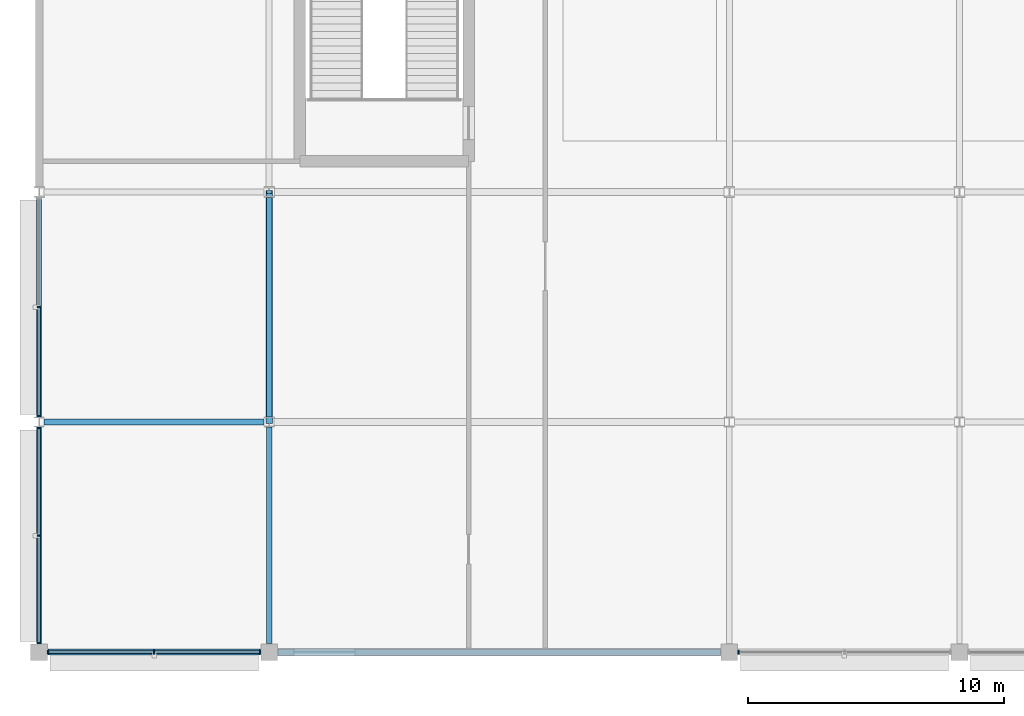
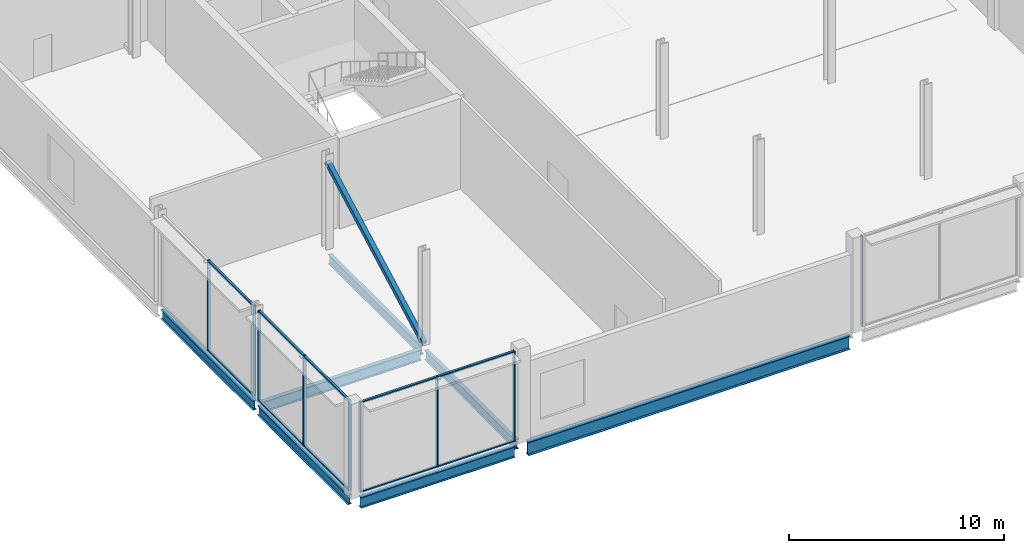
# One storey, part 11 of 113: 20 members, 7 beams, 4 elements without a shape of their own.
"""IFC4 building model written with IfcOpenShell, lengths in metres."""

from ifc_helpers import new_model, si_unit, direction, frame, origin, origin_2d, place, context, subcontext, project, spatial, rectangle, hollow_rectangle, i_section, extrude, material, layer, layer_set, material_profile, profile_set, type_object, element, aggregate, save


model = new_model("IFC4")

# Units and contexts
model_context = context("Model", 3, precision=1e-05, world=origin(), true_north=direction((0.0, 1.0)))
body_context = subcontext(model_context, "Body", "Model", "MODEL_VIEW")
ifc_project = project(units=[si_unit("LENGTHUNIT", "METRE"), si_unit("AREAUNIT", "SQUARE_METRE"), si_unit("VOLUMEUNIT", "CUBIC_METRE"), si_unit("PLANEANGLEUNIT", "RADIAN"), si_unit("MASSUNIT", "GRAM", prefix="KILO")], contexts=[model_context])

# Site, building, storey
site_placement = place(None, origin())
site = spatial("IfcSite", under=ifc_project, at=site_placement, CompositionType="ELEMENT")
building_placement = place(site_placement, origin())
building = spatial("IfcBuilding", under=site, at=building_placement, Name="Kisiwana Market Hall", CompositionType="ELEMENT")
storey_placement = place(building_placement, frame((0.0, 0.0, 6.0)))
storey = spatial("IfcBuildingStorey", under=building, at=storey_placement, Name="L01", CompositionType="ELEMENT", Elevation=6.0)

# Beams
ifc_material_1 = material(Name="Steel S355", Category="steel")
ifc_material_profile_1 = material_profile(ifc_material_1, i_section(OverallWidth=0.209228515625, OverallDepth=0.533203125, WebThickness=0.010009765625, FlangeThickness=0.015625, at=origin_2d()), Name="UB 533x210x92")
ifc_profile_set_1 = profile_set([ifc_material_profile_1], Name="Steel S355")
beam_type_1 = type_object("IfcBeamType", Name="BM-GIRD-UB533", PredefinedType="BEAM", material=ifc_profile_set_1)
beam_1_placement = place(storey_placement, frame((0.0, 0.345947265625, -0.5166015625), z_axis=(0.0, 1.0, 0.0), x_axis=(-1.0, 0.0, 0.0)))
element("IfcBeam", 1, at=beam_1_placement, inside=storey, type_object=beam_type_1, Name="Floor beam B-0555", PredefinedType="BEAM", context=body_context, shape_type="SweptSolid", body=[
    extrude(i_section(OverallWidth=0.209228515625, OverallDepth=0.533203125, WebThickness=0.010009765625, FlangeThickness=0.015625, at=origin_2d()), origin(), (0.0, 0.0, 1.0), 8.454833984375),
])
beam_2_placement = place(storey_placement, frame((0.0, 9.19921875, -0.5166015625), z_axis=(0.0, 1.0, 0.0), x_axis=(-1.0, 0.0, 0.0)))
element("IfcBeam", 2, at=beam_2_placement, inside=storey, type_object=beam_type_1, Name="Floor beam B-0556", PredefinedType="BEAM", context=body_context, shape_type="SweptSolid", body=[
    extrude(i_section(OverallWidth=0.209228515625, OverallDepth=0.533203125, WebThickness=0.010009765625, FlangeThickness=0.015625, at=origin_2d()), origin(), (0.0, 0.0, 1.0), 8.58740234375),
])
beam_3_placement = place(storey_placement, frame((9.0, 0.345947265625, -0.5166015625), z_axis=(0.0, 1.0, 0.0), x_axis=(-1.0, 0.0, 0.0)))
element("IfcBeam", 3, at=beam_3_placement, inside=storey, type_object=beam_type_1, Name="Primary girder B-0331", PredefinedType="BEAM", context=body_context, shape_type="SweptSolid", body=[
    extrude(i_section(OverallWidth=0.209228515625, OverallDepth=0.533203125, WebThickness=0.010009765625, FlangeThickness=0.015625, at=origin_2d()), origin(), (0.0, 0.0, 1.0), 8.454833984375),
])
beam_4_placement = place(storey_placement, frame((9.0, 9.19921875, -0.5166015625), z_axis=(0.0, 1.0, 0.0), x_axis=(-1.0, 0.0, 0.0)))
element("IfcBeam", 4, at=beam_4_placement, inside=storey, type_object=beam_type_1, Name="Primary girder B-0332", PredefinedType="BEAM", context=body_context, shape_type="SweptSolid", body=[
    extrude(i_section(OverallWidth=0.209228515625, OverallDepth=0.533203125, WebThickness=0.010009765625, FlangeThickness=0.015625, at=origin_2d()), origin(), (0.0, 0.0, 1.0), 8.58740234375),
])
ifc_material_2 = material(Name="Steel S355", Category="steel")
ifc_material_profile_2 = material_profile(ifc_material_2, i_section(OverallWidth=0.22900390625, OverallDepth=0.6123046875, WebThickness=0.011962890625, FlangeThickness=0.01953125, at=origin_2d()), Name="UB 610x229x125")
ifc_profile_set_2 = profile_set([ifc_material_profile_2], Name="Steel S355")
beam_type_2 = type_object("IfcBeamType", Name="BM-GIRD-UB610H", PredefinedType="BEAM", material=ifc_profile_set_2)
beam_5_placement = place(storey_placement, frame((0.345947265625, 0.0, -0.55615234375), z_axis=(1.0, 0.0, 0.0), x_axis=(0.0, 1.0, 0.0)))
element("IfcBeam", 5, at=beam_5_placement, inside=storey, type_object=beam_type_2, Name="Floor beam B-0449", PredefinedType="BEAM", context=body_context, shape_type="SweptSolid", body=[
    extrude(i_section(OverallWidth=0.22900390625, OverallDepth=0.6123046875, WebThickness=0.011962890625, FlangeThickness=0.01953125, at=origin_2d()), origin(), (0.0, 0.0, 1.0), 8.30810546875),
])
beam_6_placement = place(storey_placement, frame((0.197509765625, 9.0, -0.55615234375), z_axis=(1.0, 0.0, 0.0), x_axis=(0.0, 1.0, 0.0)))
element("IfcBeam", 6, at=beam_6_placement, inside=storey, type_object=beam_type_2, Name="Floor beam B-0463", PredefinedType="BEAM", context=body_context, shape_type="SweptSolid", body=[
    extrude(i_section(OverallWidth=0.22900390625, OverallDepth=0.6123046875, WebThickness=0.011962890625, FlangeThickness=0.01953125, at=origin_2d()), origin(), (0.0, 0.0, 1.0), 8.60498046875),
])
ifc_material_3 = material(Name="Steel S355", Category="steel")
ifc_material_profile_3 = material_profile(ifc_material_3, i_section(OverallWidth=0.2666015625, OverallDepth=0.76220703125, WebThickness=0.014404296875, FlangeThickness=0.021484375, at=origin_2d()), Name="UB 762x267x173")
ifc_profile_set_3 = profile_set([ifc_material_profile_3], Name="Steel S355")
beam_type_3 = type_object("IfcBeamType", Name="BM-GIRD-UB762", PredefinedType="BEAM", material=ifc_profile_set_3)
beam_7_placement = place(storey_placement, frame((9.345947265625, 0.0, -0.631103515625), z_axis=(1.0, 0.0, 0.0), x_axis=(0.0, 1.0, 0.0)))
element("IfcBeam", 7, at=beam_7_placement, inside=storey, type_object=beam_type_3, Name="Floor beam B-0450", PredefinedType="BEAM", context=body_context, shape_type="SweptSolid", body=[
    extrude(i_section(OverallWidth=0.2666015625, OverallDepth=0.76220703125, WebThickness=0.014404296875, FlangeThickness=0.021484375, at=origin_2d()), origin(), (0.0, 0.0, 1.0), 17.30810546875),
])

# Curtain wall, members
ifc_material_4 = material(Name="Double-glazed solar-control low-E IGU", Category="glass")
ifc_layer = layer(ifc_material_4, 0.159912109375)
ifc_layer_set = layer_set([ifc_layer], Name="CW-FC-S-7600")
curtain_wall_type = type_object("IfcCurtainWallType", Name="CW-FC-S-7600", PredefinedType="USERDEFINED", material=ifc_layer_set)
curtain_wall_1_placement = place(storey_placement, origin())
curtain_wall_1 = element("IfcCurtainWall", 8, at=curtain_wall_1_placement, inside=storey, type_object=curtain_wall_type, Name="Unitised curtain wall CW-005 (L01)", ObjectType="UNITISED CURTAIN WALL", PredefinedType="USERDEFINED")
ifc_material_5 = material(Name="Aluminium alloy 6063-T6", Category="aluminium")
ifc_material_profile_4 = material_profile(ifc_material_5, rectangle(XDim=0.06005859375, YDim=0.159912109375, at=origin_2d()), Name="ALU MULLION 60x160")
ifc_profile_set_4 = profile_set([ifc_material_profile_4], Name="Aluminium alloy 6063-T6")
member_type_1 = type_object("IfcMemberType", Name="CW-MULL-60x160", PredefinedType="MULLION", material=ifc_profile_set_4)
member_1_placement = place(storey_placement, frame((0.35498046875, 0.0, 0.0), z_axis=(0.0, 0.0, 1.0), x_axis=(1.0, 0.0, 0.0)))
member_1 = element("IfcMember", 9, at=member_1_placement, type_object=member_type_1, Name="CW-005 mullion 1", PredefinedType="MULLION", context=body_context, shape_type="SweptSolid", body=[
    extrude(rectangle(XDim=0.06005859375, YDim=0.159912109375, at=origin_2d()), origin(), (0.0, 0.0, 1.0), 5.14990234375),
])
member_2_placement = place(storey_placement, frame((4.5, 0.0, 0.0), z_axis=(0.0, 0.0, 1.0), x_axis=(1.0, 0.0, 0.0)))
member_2 = element("IfcMember", 10, at=member_2_placement, type_object=member_type_1, Name="CW-005 mullion 2", PredefinedType="MULLION", context=body_context, shape_type="SweptSolid", body=[
    extrude(rectangle(XDim=0.06005859375, YDim=0.159912109375, at=origin_2d()), origin(), (0.0, 0.0, 1.0), 5.14990234375),
])
member_3_placement = place(storey_placement, frame((8.64501953125, 0.0, 0.0), z_axis=(0.0, 0.0, 1.0), x_axis=(1.0, 0.0, 0.0)))
member_3 = element("IfcMember", 11, at=member_3_placement, type_object=member_type_1, Name="CW-005 mullion 3", PredefinedType="MULLION", context=body_context, shape_type="SweptSolid", body=[
    extrude(rectangle(XDim=0.06005859375, YDim=0.159912109375, at=origin_2d()), origin(), (0.0, 0.0, 1.0), 5.14990234375),
])

# Curtain wall, member
curtain_wall_2_placement = place(storey_placement, origin())
curtain_wall_2 = element("IfcCurtainWall", 12, at=curtain_wall_2_placement, inside=storey, type_object=curtain_wall_type, Name="Unitised curtain wall CW-006 (L01)", ObjectType="UNITISED CURTAIN WALL", PredefinedType="USERDEFINED")
member_4_placement = place(storey_placement, frame((27.35498046875, 0.0, 0.0), z_axis=(0.0, 0.0, 1.0), x_axis=(1.0, 0.0, 0.0)))
member_4 = element("IfcMember", 13, at=member_4_placement, type_object=member_type_1, Name="CW-006 mullion 1", PredefinedType="MULLION", context=body_context, shape_type="SweptSolid", body=[
    extrude(rectangle(XDim=0.06005859375, YDim=0.159912109375, at=origin_2d()), origin(), (0.0, 0.0, 1.0), 5.14990234375),
])
aggregate(curtain_wall_2, [member_4])

# Curtain wall, members
curtain_wall_3_placement = place(storey_placement, origin())
curtain_wall_3 = element("IfcCurtainWall", 14, at=curtain_wall_3_placement, inside=storey, type_object=curtain_wall_type, Name="Unitised curtain wall CW-045 (L01)", ObjectType="UNITISED CURTAIN WALL", PredefinedType="USERDEFINED")
member_5_placement = place(storey_placement, frame((0.0, 0.35498046875, 0.0), z_axis=(0.0, 0.0, 1.0), x_axis=(0.0, 1.0, 0.0)))
member_5 = element("IfcMember", 15, at=member_5_placement, type_object=member_type_1, Name="CW-045 mullion 1", PredefinedType="MULLION", context=body_context, shape_type="SweptSolid", body=[
    extrude(rectangle(XDim=0.06005859375, YDim=0.159912109375, at=origin_2d()), origin(), (0.0, 0.0, 1.0), 5.14990234375),
])
member_6_placement = place(storey_placement, frame((0.0, 4.560791015625, 0.0), z_axis=(0.0, 0.0, 1.0), x_axis=(0.0, 1.0, 0.0)))
member_6 = element("IfcMember", 16, at=member_6_placement, type_object=member_type_1, Name="CW-045 mullion 2", PredefinedType="MULLION", context=body_context, shape_type="SweptSolid", body=[
    extrude(rectangle(XDim=0.06005859375, YDim=0.159912109375, at=origin_2d()), origin(), (0.0, 0.0, 1.0), 5.14990234375),
])
member_7_placement = place(storey_placement, frame((0.0, 8.766845703125, 0.0), z_axis=(0.0, 0.0, 1.0), x_axis=(0.0, 1.0, 0.0)))
member_7 = element("IfcMember", 17, at=member_7_placement, type_object=member_type_1, Name="CW-045 mullion 3", PredefinedType="MULLION", context=body_context, shape_type="SweptSolid", body=[
    extrude(rectangle(XDim=0.06005859375, YDim=0.159912109375, at=origin_2d()), origin(), (0.0, 0.0, 1.0), 5.14990234375),
])

curtain_wall_4_placement = place(storey_placement, origin())
curtain_wall_4 = element("IfcCurtainWall", 18, at=curtain_wall_4_placement, inside=storey, type_object=curtain_wall_type, Name="Unitised curtain wall CW-046 (L01)", ObjectType="UNITISED CURTAIN WALL", PredefinedType="USERDEFINED")
member_8_placement = place(storey_placement, frame((0.0, 9.233154296875, 0.0), z_axis=(0.0, 0.0, 1.0), x_axis=(0.0, 1.0, 0.0)))
member_8 = element("IfcMember", 19, at=member_8_placement, type_object=member_type_1, Name="CW-046 mullion 1", PredefinedType="MULLION", context=body_context, shape_type="SweptSolid", body=[
    extrude(rectangle(XDim=0.06005859375, YDim=0.159912109375, at=origin_2d()), origin(), (0.0, 0.0, 1.0), 5.14990234375),
])
member_9_placement = place(storey_placement, frame((0.0, 13.492919921875, 0.0), z_axis=(0.0, 0.0, 1.0), x_axis=(0.0, 1.0, 0.0)))
member_9 = element("IfcMember", 20, at=member_9_placement, type_object=member_type_1, Name="CW-046 mullion 2", PredefinedType="MULLION", context=body_context, shape_type="SweptSolid", body=[
    extrude(rectangle(XDim=0.06005859375, YDim=0.159912109375, at=origin_2d()), origin(), (0.0, 0.0, 1.0), 5.14990234375),
])

# Member
ifc_material_6 = material(Name="Aluminium alloy 6063-T6", Category="aluminium")
ifc_material_profile_5 = material_profile(ifc_material_6, rectangle(XDim=0.1201171875, YDim=0.06005859375, at=origin_2d()), Name="ALU TRANSOM 60x120")
ifc_profile_set_5 = profile_set([ifc_material_profile_5], Name="Aluminium alloy 6063-T6")
member_type_2 = type_object("IfcMemberType", Name="CW-TRAN-60x120", PredefinedType="USERDEFINED", material=ifc_profile_set_5)
member_10_placement = place(storey_placement, frame((0.385009765625, 0.0, 0.030029296875), z_axis=(1.0, 0.0, 0.0), x_axis=(0.0, 1.0, 0.0)))
member_10 = element("IfcMember", 21, at=member_10_placement, type_object=member_type_2, Name="CW-005 transom 1.1", ObjectType="TRANSOM", PredefinedType="USERDEFINED", context=body_context, shape_type="SweptSolid", body=[
    extrude(rectangle(XDim=0.1201171875, YDim=0.06005859375, at=origin_2d()), origin(), (0.0, 0.0, 1.0), 4.0849609375),
])

member_11_placement = place(storey_placement, frame((0.385009765625, 0.0, 5.1201171875), z_axis=(1.0, 0.0, 0.0), x_axis=(0.0, 1.0, 0.0)))
member_11 = element("IfcMember", 22, at=member_11_placement, type_object=member_type_2, Name="CW-005 transom 1.2", ObjectType="TRANSOM", PredefinedType="USERDEFINED", context=body_context, shape_type="SweptSolid", body=[
    extrude(rectangle(XDim=0.1201171875, YDim=0.06005859375, at=origin_2d()), origin(), (0.0, 0.0, 1.0), 4.0849609375),
])

member_12_placement = place(storey_placement, frame((4.530029296875, 0.0, 0.030029296875), z_axis=(1.0, 0.0, 0.0), x_axis=(0.0, 1.0, 0.0)))
member_12 = element("IfcMember", 23, at=member_12_placement, type_object=member_type_2, Name="CW-005 transom 2.1", ObjectType="TRANSOM", PredefinedType="USERDEFINED", context=body_context, shape_type="SweptSolid", body=[
    extrude(rectangle(XDim=0.1201171875, YDim=0.06005859375, at=origin_2d()), origin(), (0.0, 0.0, 1.0), 4.0849609375),
])

member_13_placement = place(storey_placement, frame((4.530029296875, 0.0, 5.1201171875), z_axis=(1.0, 0.0, 0.0), x_axis=(0.0, 1.0, 0.0)))
member_13 = element("IfcMember", 24, at=member_13_placement, type_object=member_type_2, Name="CW-005 transom 2.2", ObjectType="TRANSOM", PredefinedType="USERDEFINED", context=body_context, shape_type="SweptSolid", body=[
    extrude(rectangle(XDim=0.1201171875, YDim=0.06005859375, at=origin_2d()), origin(), (0.0, 0.0, 1.0), 4.0849609375),
])

aggregate(curtain_wall_1, [member_1, member_2, member_3, member_10, member_11, member_12, member_13])

member_14_placement = place(storey_placement, frame((0.0, 0.385009765625, 0.030029296875), z_axis=(0.0, 1.0, 0.0), x_axis=(-1.0, 0.0, 0.0)))
member_14 = element("IfcMember", 25, at=member_14_placement, type_object=member_type_2, Name="CW-045 transom 1.1", ObjectType="TRANSOM", PredefinedType="USERDEFINED", context=body_context, shape_type="SweptSolid", body=[
    extrude(rectangle(XDim=0.1201171875, YDim=0.06005859375, at=origin_2d()), origin(), (0.0, 0.0, 1.0), 4.14599609375),
])

member_15_placement = place(storey_placement, frame((0.0, 0.385009765625, 5.1201171875), z_axis=(0.0, 1.0, 0.0), x_axis=(-1.0, 0.0, 0.0)))
member_15 = element("IfcMember", 26, at=member_15_placement, type_object=member_type_2, Name="CW-045 transom 1.2", ObjectType="TRANSOM", PredefinedType="USERDEFINED", context=body_context, shape_type="SweptSolid", body=[
    extrude(rectangle(XDim=0.1201171875, YDim=0.06005859375, at=origin_2d()), origin(), (0.0, 0.0, 1.0), 4.14599609375),
])

member_16_placement = place(storey_placement, frame((0.0, 4.5908203125, 0.030029296875), z_axis=(0.0, 1.0, 0.0), x_axis=(-1.0, 0.0, 0.0)))
member_16 = element("IfcMember", 27, at=member_16_placement, type_object=member_type_2, Name="CW-045 transom 2.1", ObjectType="TRANSOM", PredefinedType="USERDEFINED", context=body_context, shape_type="SweptSolid", body=[
    extrude(rectangle(XDim=0.1201171875, YDim=0.06005859375, at=origin_2d()), origin(), (0.0, 0.0, 1.0), 4.14599609375),
])

member_17_placement = place(storey_placement, frame((0.0, 4.5908203125, 5.1201171875), z_axis=(0.0, 1.0, 0.0), x_axis=(-1.0, 0.0, 0.0)))
member_17 = element("IfcMember", 28, at=member_17_placement, type_object=member_type_2, Name="CW-045 transom 2.2", ObjectType="TRANSOM", PredefinedType="USERDEFINED", context=body_context, shape_type="SweptSolid", body=[
    extrude(rectangle(XDim=0.1201171875, YDim=0.06005859375, at=origin_2d()), origin(), (0.0, 0.0, 1.0), 4.14599609375),
])

aggregate(curtain_wall_3, [member_5, member_6, member_7, member_14, member_15, member_16, member_17])

member_18_placement = place(storey_placement, frame((0.0, 9.26318359375, 0.030029296875), z_axis=(0.0, 1.0, 0.0), x_axis=(-1.0, 0.0, 0.0)))
member_18 = element("IfcMember", 29, at=member_18_placement, type_object=member_type_2, Name="CW-046 transom 1.1", ObjectType="TRANSOM", PredefinedType="USERDEFINED", context=body_context, shape_type="SweptSolid", body=[
    extrude(rectangle(XDim=0.1201171875, YDim=0.06005859375, at=origin_2d()), origin(), (0.0, 0.0, 1.0), 4.19970703125),
])

member_19_placement = place(storey_placement, frame((0.0, 9.26318359375, 5.1201171875), z_axis=(0.0, 1.0, 0.0), x_axis=(-1.0, 0.0, 0.0)))
member_19 = element("IfcMember", 30, at=member_19_placement, type_object=member_type_2, Name="CW-046 transom 1.2", ObjectType="TRANSOM", PredefinedType="USERDEFINED", context=body_context, shape_type="SweptSolid", body=[
    extrude(rectangle(XDim=0.1201171875, YDim=0.06005859375, at=origin_2d()), origin(), (0.0, 0.0, 1.0), 4.19970703125),
])

aggregate(curtain_wall_4, [member_8, member_9, member_18, member_19])

ifc_material_7 = material(Name="Steel S355", Category="steel")
ifc_material_profile_6 = material_profile(ifc_material_7, hollow_rectangle(XDim=0.25, YDim=0.25, WallThickness=0.012451171875, at=origin_2d()), Name="SHS 250x250x12.5")
ifc_profile_set_6 = profile_set([ifc_material_profile_6], Name="Steel S355")
member_type_3 = type_object("IfcMemberType", Name="MB-CBF-SHS250", PredefinedType="BRACE", material=ifc_profile_set_6)
member_20_placement = place(storey_placement, frame((9.0, 9.0, 0.0), z_axis=(0.0, 0.880310023869, 0.474398842616), x_axis=(-1.0, 0.0, 0.0)))
element("IfcMember", 31, at=member_20_placement, inside=storey, type_object=member_type_3, Name="CBF-W-N diagonal brace (L01) M-0014", PredefinedType="BRACE", context=body_context, shape_type="SweptSolid", body=[
    extrude(hollow_rectangle(XDim=0.25, YDim=0.25, WallThickness=0.012451171875, at=origin_2d()), origin(), (0.0, 0.0, 1.0), 10.2236328125),
])

save(model, "model.ifc")
